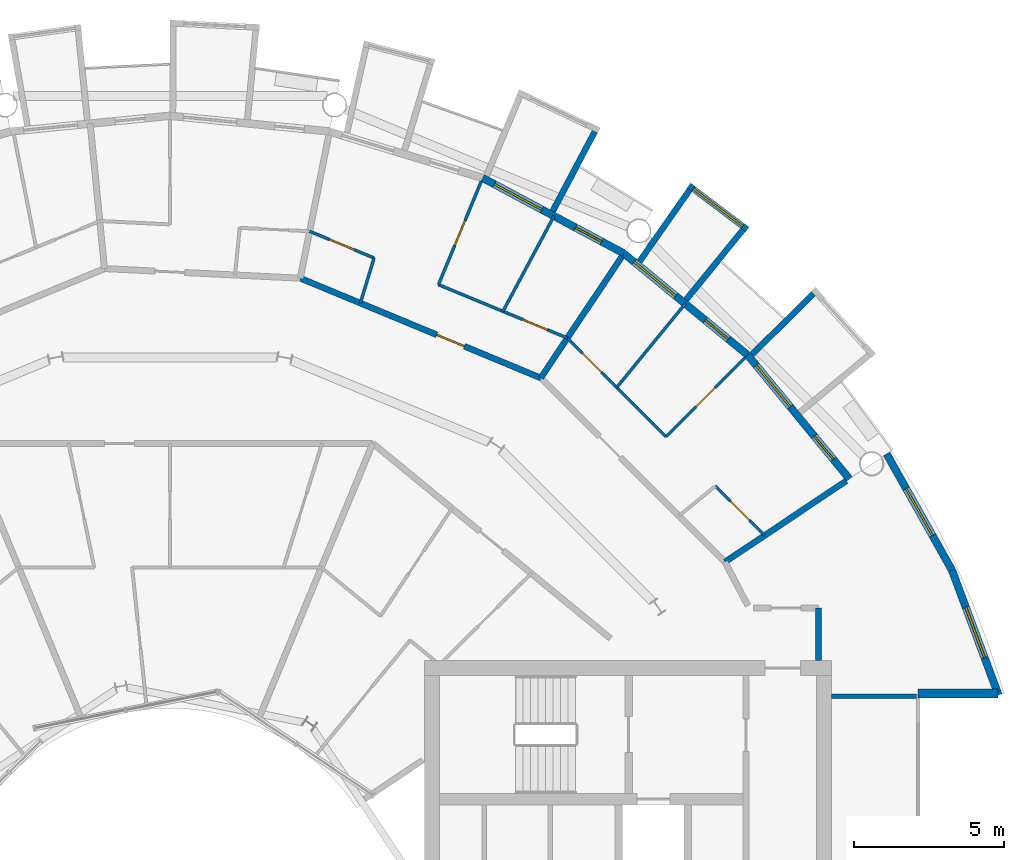
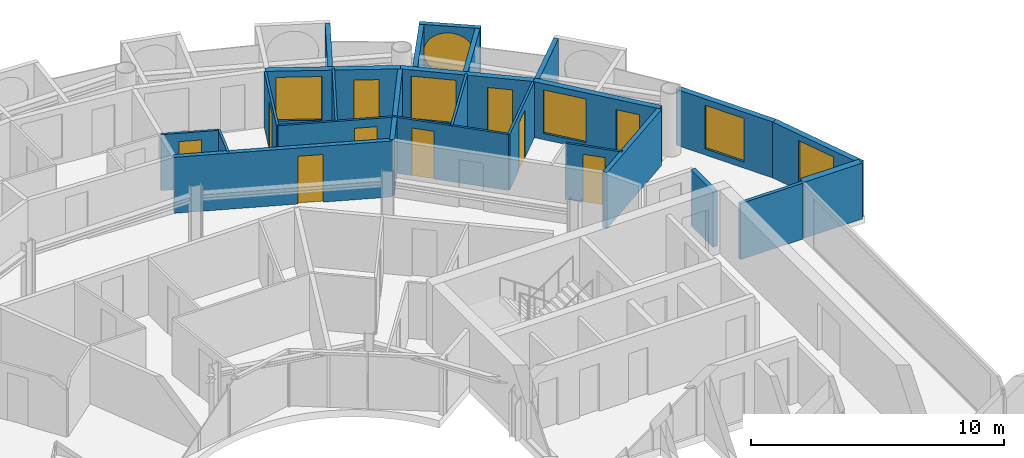
# One storey, part 23 of 28: 25 walls, 10 doors, 6 windows, 16 openings.
"""IFC4 building model written with IfcOpenShell, lengths in metres."""

from ifc_helpers import new_model, si_unit, direction, frame, frame_2d, origin, place, context, subcontext, project, spatial, rectangle, circle, extrude, material, layer, layer_set, type_object, element, fill, save


model = new_model("IFC4")

# Units and contexts
model_context = context("Model", 3, precision=1e-05, world=origin(), true_north=direction((0.0, 1.0)))
body_context = subcontext(model_context, "Body", "Model", "MODEL_VIEW")
ifc_project = project(units=[si_unit("LENGTHUNIT", "METRE"), si_unit("AREAUNIT", "SQUARE_METRE"), si_unit("VOLUMEUNIT", "CUBIC_METRE"), si_unit("PLANEANGLEUNIT", "RADIAN"), si_unit("MASSUNIT", "GRAM", prefix="KILO")], contexts=[model_context])

# Site, building, storey
site_placement = place(None, origin())
site = spatial("IfcSite", under=ifc_project, at=site_placement, CompositionType="ELEMENT")
building_placement = place(site_placement, origin())
building = spatial("IfcBuilding", under=site, at=building_placement, Name="Maasbend Ring Residences", CompositionType="ELEMENT")
storey_placement = place(building_placement, frame((0.0, 0.0, 173.800048828125)))
storey = spatial("IfcBuildingStorey", under=building, at=storey_placement, Name="L50", CompositionType="ELEMENT", Elevation=173.800048828125)

# Wall
ifc_material_1 = material(Name="Concrete C30/37", Category="concrete")
ifc_layer_1 = layer(ifc_material_1, 0.199951171875)
ifc_layer_set_1 = layer_set([ifc_layer_1], Name="Concrete C30/37")
wall_type_1 = type_object("IfcWallType", Name="CORRIDOR WALL 200 CONCRETE", PredefinedType="PARTITIONING", material=ifc_layer_set_1)
wall_1_placement = place(storey_placement, frame((21.675048828125, 9.10009765625, 0.0), z_axis=(0.0, 0.0, 1.0), x_axis=(0.0, 1.0, 0.0)))
element("IfcWall", 1, at=wall_1_placement, inside=storey, type_object=wall_type_1, Name="U-L50-w013", PredefinedType="PARTITIONING", context=body_context, shape_type="SweptSolid", body=[
    extrude(rectangle(XDim=1.75, YDim=0.199951171875, at=frame_2d((0.875, 0.0))), origin(), (0.0, 0.0, 1.0), 2.699951171875),
])

# Wall, opening, door
wall_2_placement = place(storey_placement, frame((4.35107421875, 21.8720703125, 0.0), z_axis=(0.0, 0.0, 1.0), x_axis=(0.923722518166, -0.383062278792, 0.0)))
wall_2 = element("IfcWall", 2, at=wall_2_placement, inside=storey, type_object=wall_type_1, Name="U-L50-w110", PredefinedType="PARTITIONING", context=body_context, shape_type="SweptSolid", body=[
    extrude(rectangle(XDim=8.709228515625, YDim=0.199951171875, at=frame_2d((4.3544921875, 0.0))), origin(), (0.0, 0.0, 1.0), 2.699951171875),
])
opening_1_placement = place(wall_2_placement, frame((4.93798828125, 0.0, 0.0)))
opening_1 = element("IfcOpeningElement", 3, at=opening_1_placement, cuts=wall_2, Name="Opening D-5005", PredefinedType="OPENING", context=body_context, shape_type="SweptSolid", body=[
    extrude(rectangle(XDim=1.0, YDim=2.300048828125, at=frame_2d((0.5, 1.14990234375))), frame((0.0, 0.10986328125, 0.0), z_axis=(0.0, -1.0, 0.0), x_axis=(1.0, 0.0, 0.0)), (0.0, 0.0, 1.0), 0.219970703125),
])
ifc_material_2 = material(Name="Timber, fire-rated, painted", Category="wood")
door_type_1 = type_object("IfcDoorType", Name="FLAT ENTRANCE DOOR 1000 X 2300 FIRE-RATED", OperationType="NOTDEFINED", PredefinedType="DOOR", material=ifc_material_2)
door_1_placement = place(opening_1_placement, origin())
door_1 = element("IfcDoor", 4, at=door_1_placement, inside=storey, type_object=door_type_1, Name="D-5005", OperationType="SINGLE_SWING_RIGHT", OverallHeight=2.300048828125, OverallWidth=1.0, PredefinedType="DOOR", context=body_context, shape_type="SweptSolid", body=[
    extrude(rectangle(XDim=1.0, YDim=2.300048828125, at=frame_2d((0.5, 1.14990234375))), frame((0.0, 0.02490234375, 0.0), z_axis=(0.0, -1.0, 0.0), x_axis=(1.0, 0.0, 0.0)), (0.0, 0.0, 1.0), 0.050048828125),
])
fill(opening_1, door_1)

# Wall
ifc_material_3 = material(Name="Pale anodised aluminium panel", Category="aluminium")
ifc_layer_2 = layer(ifc_material_3, 0.199951171875)
ifc_layer_set_2 = layer_set([ifc_layer_2], Name="EW-BOX")
wall_type_2 = type_object("IfcWallType", Name="EW-BOX", PredefinedType="SOLIDWALL", material=ifc_layer_set_2)
wall_3_placement = place(storey_placement, frame((19.449951171875, 19.322998046875, -0.030029296875), z_axis=(0.0, 0.0, 1.0), x_axis=(0.709727076896, 0.704476739375, 0.0)))
element("IfcWall", 5, at=wall_3_placement, inside=storey, type_object=wall_type_2, Name="Box side wall N02 right", PredefinedType="SOLIDWALL", context=body_context, shape_type="SweptSolid", body=[
    extrude(rectangle(XDim=2.883056640625, YDim=0.199951171875, at=frame_2d((1.44140625, 0.0))), origin(), (0.0, 0.0, 1.0), 2.72998046875),
])

# Wall, opening, window
wall_4_placement = place(storey_placement, frame((19.2890625, 23.4970703125, -0.030029296875), z_axis=(0.0, 0.0, 1.0), x_axis=(-0.797887588059, 0.602806268067, 0.0)))
wall_4 = element("IfcWall", 6, at=wall_4_placement, inside=storey, type_object=wall_type_2, Name="Box front N04", PredefinedType="SOLIDWALL", context=body_context, shape_type="SweptSolid", body=[
    extrude(rectangle(XDim=2.446533203125, YDim=0.199951171875, at=frame_2d((1.22314453125, 0.0))), origin(), (0.0, 0.0, 1.0), 2.72998046875),
])
opening_2_placement = place(wall_4_placement, frame((0.182861328125, 0.0, 0.330078125)))
opening_2 = element("IfcOpeningElement", 7, at=opening_2_placement, cuts=wall_4, Name="Opening W-RD", PredefinedType="OPENING", context=body_context, shape_type="SweptSolid", body=[
    extrude(circle(Radius=1.0400390625, at=frame_2d((1.0400390625, 1.0400390625))), frame((0.0, 0.10986328125, 0.0), z_axis=(0.0, -1.0, 0.0), x_axis=(1.0, 0.0, 0.0)), (0.0, 0.0, 1.0), 0.219970703125),
])
ifc_material_4 = material(Name="Aluminium and clear glass", Category="aluminium")
window_type_1 = type_object("IfcWindowType", Name="W-RD", PartitioningType="SINGLE_PANEL", PredefinedType="WINDOW", material=ifc_material_4)
window_1_placement = place(opening_2_placement, origin())
window_1 = element("IfcWindow", 8, at=window_1_placement, inside=storey, type_object=window_type_1, Name="Round window N04", OverallHeight=2.080078125, OverallWidth=2.080078125, PartitioningType="SINGLE_PANEL", PredefinedType="WINDOW", context=body_context, shape_type="SweptSolid", body=[
    extrude(circle(Radius=1.0400390625, at=frame_2d((1.0400390625, 1.0400390625))), frame((0.0, 0.030029296875, 0.0), z_axis=(0.0, -1.0, 0.0), x_axis=(1.0, 0.0, 0.0)), (0.0, 0.0, 1.0), 0.06005859375),
])
fill(opening_2, window_1)

# Walls
wall_5_placement = place(storey_placement, frame((17.24609375, 21.155029296875, -0.030029296875), z_axis=(0.0, 0.0, 1.0), x_axis=(0.631741648902, 0.775179004516, 0.0)))
element("IfcWall", 9, at=wall_5_placement, inside=storey, type_object=wall_type_2, Name="Box side wall N04 left", PredefinedType="SOLIDWALL", context=body_context, shape_type="SweptSolid", body=[
    extrude(rectangle(XDim=3.005859375, YDim=0.199951171875, at=frame_2d((1.5029296875, 0.0))), origin(), (0.0, 0.0, 1.0), 2.72998046875),
])
wall_6_placement = place(storey_placement, frame((15.68798828125, 22.43310546875, -0.030029296875), z_axis=(0.0, 0.0, 1.0), x_axis=(0.573260687834, 0.819373043115, 0.0)))
element("IfcWall", 10, at=wall_6_placement, inside=storey, type_object=wall_type_2, Name="Box side wall N04 right", PredefinedType="SOLIDWALL", context=body_context, shape_type="SweptSolid", body=[
    extrude(rectangle(XDim=2.92529296875, YDim=0.199951171875, at=frame_2d((1.462646484375, 0.0))), origin(), (0.0, 0.0, 1.0), 2.72998046875),
])
wall_7_placement = place(storey_placement, frame((12.787109375, 24.113037109375, -0.030029296875), z_axis=(0.0, 0.0, 1.0), x_axis=(0.468365282436, 0.883534924159, 0.0)))
element("IfcWall", 11, at=wall_7_placement, inside=storey, type_object=wall_type_2, Name="Box side wall N06 left", PredefinedType="SOLIDWALL", context=body_context, shape_type="SweptSolid", body=[
    extrude(rectangle(XDim=3.006103515625, YDim=0.199951171875, at=frame_2d((1.5029296875, 0.0))), origin(), (0.0, 0.0, 1.0), 2.72998046875),
])

# Wall, openings, door, window
ifc_material_5 = material(Name="Aluminium clad insulated panel", Category="aluminium")
ifc_layer_3 = layer(ifc_material_5, 0.25)
ifc_layer_set_3 = layer_set([ifc_layer_3], Name="EW-GL")
wall_type_3 = type_object("IfcWallType", Name="EW-GL", PredefinedType="SOLIDWALL", material=ifc_layer_set_3)
wall_8_placement = place(storey_placement, frame((22.698974609375, 15.1669921875, 0.0), z_axis=(0.0, 0.0, 1.0), x_axis=(-0.634382322723, 0.773019449054, 0.0)))
wall_8 = element("IfcWall", 12, at=wall_8_placement, inside=storey, type_object=wall_type_3, Name="External wall N01", PredefinedType="SOLIDWALL", context=body_context, shape_type="SweptSolid", body=[
    extrude(rectangle(XDim=5.351806640625, YDim=0.25, at=frame_2d((2.67578125, 0.0))), origin(), (0.0, 0.0, 1.0), 2.699951171875),
])
opening_3_placement = place(wall_8_placement, frame((0.841064453125, 0.0, 0.0)))
opening_3 = element("IfcOpeningElement", 13, at=opening_3_placement, cuts=wall_8, Name="Opening D-LG", PredefinedType="OPENING", context=body_context, shape_type="SweptSolid", body=[
    extrude(rectangle(XDim=1.0, YDim=2.199951171875, at=frame_2d((0.5, 1.10009765625))), frame((0.0, 0.135009765625, 0.0), z_axis=(0.0, -1.0, 0.0), x_axis=(1.0, 0.0, 0.0)), (0.0, 0.0, 1.0), 0.27001953125),
])
opening_4_placement = place(wall_8_placement, frame((3.110595703125, 0.0, 0.300048828125)))
opening_4 = element("IfcOpeningElement", 14, at=opening_4_placement, cuts=wall_8, Name="Opening W-BX", PredefinedType="OPENING", context=body_context, shape_type="SweptSolid", body=[
    extrude(rectangle(XDim=1.800048828125, YDim=2.10009765625, at=frame_2d((0.89990234375, 1.050048828125))), frame((0.0, 0.135009765625, 0.0), z_axis=(0.0, -1.0, 0.0), x_axis=(1.0, 0.0, 0.0)), (0.0, 0.0, 1.0), 0.27001953125),
])
ifc_material_6 = material(Name="Aluminium and clear glass", Category="aluminium")
door_type_2 = type_object("IfcDoorType", Name="D-LG", OperationType="SINGLE_SWING_LEFT", PredefinedType="DOOR", material=ifc_material_6)
door_2_placement = place(opening_3_placement, origin())
door_2 = element("IfcDoor", 15, at=door_2_placement, inside=storey, type_object=door_type_2, Name="Loggia door N01", OperationType="SINGLE_SWING_LEFT", OverallHeight=2.199951171875, OverallWidth=1.0, PredefinedType="DOOR", context=body_context, shape_type="SweptSolid", body=[
    extrude(rectangle(XDim=1.0, YDim=2.199951171875, at=frame_2d((0.5, 1.10009765625))), frame((0.0, 0.02490234375, 0.0), z_axis=(0.0, -1.0, 0.0), x_axis=(1.0, 0.0, 0.0)), (0.0, 0.0, 1.0), 0.050048828125),
])
fill(opening_3, door_2)
ifc_material_7 = material(Name="Aluminium and clear glass", Category="aluminium")
window_type_2 = type_object("IfcWindowType", Name="W-BX", PartitioningType="DOUBLE_PANEL_VERTICAL", PredefinedType="WINDOW", material=ifc_material_7)
window_2_placement = place(opening_4_placement, origin())
window_2 = element("IfcWindow", 16, at=window_2_placement, inside=storey, type_object=window_type_2, Name="Window N02 room to box", OverallHeight=2.10009765625, OverallWidth=1.800048828125, PartitioningType="SINGLE_PANEL", PredefinedType="WINDOW", context=body_context, shape_type="SweptSolid", body=[
    extrude(rectangle(XDim=1.800048828125, YDim=2.10009765625, at=frame_2d((0.89990234375, 1.050048828125))), frame((0.0, 0.030029296875, 0.0), z_axis=(0.0, -1.0, 0.0), x_axis=(1.0, 0.0, 0.0)), (0.0, 0.0, 1.0), 0.06005859375),
])
fill(opening_4, window_2)

wall_9_placement = place(storey_placement, frame((19.303955078125, 19.303955078125, 0.0), z_axis=(0.0, 0.0, 1.0), x_axis=(-0.773019449054, 0.634382322723, 0.0)))
wall_9 = element("IfcWall", 17, at=wall_9_placement, inside=storey, type_object=wall_type_3, Name="External wall N02", PredefinedType="SOLIDWALL", context=body_context, shape_type="SweptSolid", body=[
    extrude(rectangle(XDim=5.351806640625, YDim=0.25, at=frame_2d((2.67578125, 0.0))), origin(), (0.0, 0.0, 1.0), 2.699951171875),
])
opening_5_placement = place(wall_9_placement, frame((0.841064453125, 0.0, 0.0)))
opening_5 = element("IfcOpeningElement", 18, at=opening_5_placement, cuts=wall_9, Name="Opening D-LG", PredefinedType="OPENING", context=body_context, shape_type="SweptSolid", body=[
    extrude(rectangle(XDim=1.0, YDim=2.199951171875, at=frame_2d((0.5, 1.10009765625))), frame((0.0, 0.135009765625, 0.0), z_axis=(0.0, -1.0, 0.0), x_axis=(1.0, 0.0, 0.0)), (0.0, 0.0, 1.0), 0.27001953125),
])
opening_6_placement = place(wall_9_placement, frame((3.110595703125, 0.0, 0.300048828125)))
opening_6 = element("IfcOpeningElement", 19, at=opening_6_placement, cuts=wall_9, Name="Opening W-BX", PredefinedType="OPENING", context=body_context, shape_type="SweptSolid", body=[
    extrude(rectangle(XDim=1.800048828125, YDim=2.10009765625, at=frame_2d((0.89990234375, 1.050048828125))), frame((0.0, 0.135009765625, 0.0), z_axis=(0.0, -1.0, 0.0), x_axis=(1.0, 0.0, 0.0)), (0.0, 0.0, 1.0), 0.27001953125),
])
door_3_placement = place(opening_5_placement, origin())
door_3 = element("IfcDoor", 20, at=door_3_placement, inside=storey, type_object=door_type_2, Name="Loggia door N03", OperationType="SINGLE_SWING_LEFT", OverallHeight=2.199951171875, OverallWidth=1.0, PredefinedType="DOOR", context=body_context, shape_type="SweptSolid", body=[
    extrude(rectangle(XDim=1.0, YDim=2.199951171875, at=frame_2d((0.5, 1.10009765625))), frame((0.0, 0.02490234375, 0.0), z_axis=(0.0, -1.0, 0.0), x_axis=(1.0, 0.0, 0.0)), (0.0, 0.0, 1.0), 0.050048828125),
])
fill(opening_5, door_3)
window_3_placement = place(opening_6_placement, origin())
window_3 = element("IfcWindow", 21, at=window_3_placement, inside=storey, type_object=window_type_2, Name="Window N04 room to box", OverallHeight=2.10009765625, OverallWidth=1.800048828125, PartitioningType="SINGLE_PANEL", PredefinedType="WINDOW", context=body_context, shape_type="SweptSolid", body=[
    extrude(rectangle(XDim=1.800048828125, YDim=2.10009765625, at=frame_2d((0.89990234375, 1.050048828125))), frame((0.0, 0.030029296875, 0.0), z_axis=(0.0, -1.0, 0.0), x_axis=(1.0, 0.0, 0.0)), (0.0, 0.0, 1.0), 0.06005859375),
])
fill(opening_6, window_3)

wall_10_placement = place(storey_placement, frame((15.1669921875, 22.698974609375, 0.0), z_axis=(0.0, 0.0, 1.0), x_axis=(-0.881915646801, 0.471407246368, 0.0)))
wall_10 = element("IfcWall", 22, at=wall_10_placement, inside=storey, type_object=wall_type_3, Name="External wall N03", PredefinedType="SOLIDWALL", context=body_context, shape_type="SweptSolid", body=[
    extrude(rectangle(XDim=5.35205078125, YDim=0.25, at=frame_2d((2.676025390625, 0.0))), origin(), (0.0, 0.0, 1.0), 2.699951171875),
])
opening_7_placement = place(wall_10_placement, frame((0.841064453125, 0.0, 0.0)))
opening_7 = element("IfcOpeningElement", 23, at=opening_7_placement, cuts=wall_10, Name="Opening D-LG", PredefinedType="OPENING", context=body_context, shape_type="SweptSolid", body=[
    extrude(rectangle(XDim=1.0, YDim=2.199951171875, at=frame_2d((0.5, 1.10009765625))), frame((0.0, 0.135009765625, 0.0), z_axis=(0.0, -1.0, 0.0), x_axis=(1.0, 0.0, 0.0)), (0.0, 0.0, 1.0), 0.27001953125),
])
opening_8_placement = place(wall_10_placement, frame((3.110595703125, 0.0, 0.300048828125)))
opening_8 = element("IfcOpeningElement", 24, at=opening_8_placement, cuts=wall_10, Name="Opening W-BX", PredefinedType="OPENING", context=body_context, shape_type="SweptSolid", body=[
    extrude(rectangle(XDim=1.800048828125, YDim=2.10009765625, at=frame_2d((0.89990234375, 1.050048828125))), frame((0.0, 0.135009765625, 0.0), z_axis=(0.0, -1.0, 0.0), x_axis=(1.0, 0.0, 0.0)), (0.0, 0.0, 1.0), 0.27001953125),
])
door_4_placement = place(opening_7_placement, origin())
door_4 = element("IfcDoor", 25, at=door_4_placement, inside=storey, type_object=door_type_2, Name="Loggia door N05", OperationType="SINGLE_SWING_LEFT", OverallHeight=2.199951171875, OverallWidth=1.0, PredefinedType="DOOR", context=body_context, shape_type="SweptSolid", body=[
    extrude(rectangle(XDim=1.0, YDim=2.199951171875, at=frame_2d((0.5, 1.10009765625))), frame((0.0, 0.02490234375, 0.0), z_axis=(0.0, -1.0, 0.0), x_axis=(1.0, 0.0, 0.0)), (0.0, 0.0, 1.0), 0.050048828125),
])
fill(opening_7, door_4)
window_4_placement = place(opening_8_placement, origin())
window_4 = element("IfcWindow", 26, at=window_4_placement, inside=storey, type_object=window_type_2, Name="Window N06 room to box", OverallHeight=2.10009765625, OverallWidth=1.800048828125, PartitioningType="SINGLE_PANEL", PredefinedType="WINDOW", context=body_context, shape_type="SweptSolid", body=[
    extrude(rectangle(XDim=1.800048828125, YDim=2.10009765625, at=frame_2d((0.89990234375, 1.050048828125))), frame((0.0, 0.030029296875, 0.0), z_axis=(0.0, -1.0, 0.0), x_axis=(1.0, 0.0, 0.0)), (0.0, 0.0, 1.0), 0.06005859375),
])
fill(opening_8, window_4)

# Wall, opening, window
ifc_material_8 = material(Name="Aluminium clad insulated panel", Category="aluminium")
ifc_layer_4 = layer(ifc_material_8, 0.25)
ifc_layer_set_4 = layer_set([ifc_layer_4], Name="EW-HORN")
wall_type_4 = type_object("IfcWallType", Name="EW-HORN", PredefinedType="SOLIDWALL", material=ifc_layer_set_4)
wall_11_placement = place(storey_placement, frame((27.681884765625, 7.945068359375, 0.0), z_axis=(0.0, 0.0, 1.0), x_axis=(-0.349247811493, 0.937030397675, 0.0)))
wall_11 = element("IfcWall", 27, at=wall_11_placement, inside=storey, type_object=wall_type_4, Name="Horn wall 1.1", PredefinedType="SOLIDWALL", context=body_context, shape_type="SweptSolid", body=[
    extrude(rectangle(XDim=4.4521484375, YDim=0.25, at=frame_2d((2.22607421875, 0.0))), origin(), (0.0, 0.0, 1.0), 2.699951171875),
])
opening_9_placement = place(wall_11_placement, frame((1.32666015625, 0.0, 0.300048828125)))
opening_9 = element("IfcOpeningElement", 28, at=opening_9_placement, cuts=wall_11, Name="Opening W-BX", PredefinedType="OPENING", context=body_context, shape_type="SweptSolid", body=[
    extrude(rectangle(XDim=1.800048828125, YDim=2.10009765625, at=frame_2d((0.89990234375, 1.050048828125))), frame((0.0, 0.135009765625, 0.0), z_axis=(0.0, -1.0, 0.0), x_axis=(1.0, 0.0, 0.0)), (0.0, 0.0, 1.0), 0.27001953125),
])
window_5_placement = place(opening_9_placement, origin())
window_5 = element("IfcWindow", 29, at=window_5_placement, inside=storey, type_object=window_type_2, Name="Horn window 1.1", OverallHeight=2.10009765625, OverallWidth=1.800048828125, PartitioningType="SINGLE_PANEL", PredefinedType="WINDOW", context=body_context, shape_type="SweptSolid", body=[
    extrude(rectangle(XDim=1.800048828125, YDim=2.10009765625, at=frame_2d((0.89990234375, 1.050048828125))), frame((0.0, 0.030029296875, 0.0), z_axis=(0.0, -1.0, 0.0), x_axis=(1.0, 0.0, 0.0)), (0.0, 0.0, 1.0), 0.06005859375),
])
fill(opening_9, window_5)

wall_12_placement = place(storey_placement, frame((26.126953125, 12.116943359375, 0.0), z_axis=(0.0, 0.0, 1.0), x_axis=(-0.489696356642, 0.871893042919, 0.0)))
wall_12 = element("IfcWall", 30, at=wall_12_placement, inside=storey, type_object=wall_type_4, Name="Horn wall 1.2", PredefinedType="SOLIDWALL", context=body_context, shape_type="SweptSolid", body=[
    extrude(rectangle(XDim=4.45361328125, YDim=0.25, at=frame_2d((2.226806640625, 0.0))), origin(), (0.0, 0.0, 1.0), 2.699951171875),
])
opening_10_placement = place(wall_12_placement, frame((1.32666015625, 0.0, 0.300048828125)))
opening_10 = element("IfcOpeningElement", 31, at=opening_10_placement, cuts=wall_12, Name="Opening W-BX", PredefinedType="OPENING", context=body_context, shape_type="SweptSolid", body=[
    extrude(rectangle(XDim=1.800048828125, YDim=2.10009765625, at=frame_2d((0.89990234375, 1.050048828125))), frame((0.0, 0.135009765625, 0.0), z_axis=(0.0, -1.0, 0.0), x_axis=(1.0, 0.0, 0.0)), (0.0, 0.0, 1.0), 0.27001953125),
])
window_6_placement = place(opening_10_placement, origin())
window_6 = element("IfcWindow", 32, at=window_6_placement, inside=storey, type_object=window_type_2, Name="Horn window 1.2", OverallHeight=2.10009765625, OverallWidth=1.800048828125, PartitioningType="SINGLE_PANEL", PredefinedType="WINDOW", context=body_context, shape_type="SweptSolid", body=[
    extrude(rectangle(XDim=1.800048828125, YDim=2.10009765625, at=frame_2d((0.89990234375, 1.050048828125))), frame((0.0, 0.030029296875, 0.0), z_axis=(0.0, -1.0, 0.0), x_axis=(1.0, 0.0, 0.0)), (0.0, 0.0, 1.0), 0.06005859375),
])
fill(opening_10, window_6)

# Wall
ifc_material_9 = material(Name="Aluminium clad insulated panel", Category="aluminium")
ifc_layer_5 = layer(ifc_material_9, 0.300048828125)
ifc_layer_set_5 = layer_set([ifc_layer_5], Name="EW-RET")
wall_type_5 = type_object("IfcWallType", Name="EW-RET", PredefinedType="SOLIDWALL", material=ifc_layer_set_5)
wall_13_placement = place(storey_placement, frame((25.0, 8.0, 0.0), z_axis=(0.0, 0.0, 1.0), x_axis=(1.0, 0.0, 0.0)))
element("IfcWall", 33, at=wall_13_placement, inside=storey, type_object=wall_type_5, Name="Notch return wall east north", PredefinedType="SOLIDWALL", context=body_context, shape_type="SweptSolid", body=[
    extrude(rectangle(XDim=2.6669921875, YDim=0.300048828125, at=frame_2d((1.33349609375, 0.0))), origin(), (0.0, 0.0, 1.0), 2.699951171875),
])

# Wall, opening, door
ifc_material_10 = material(Name="Gypsum board on steel studs", Category="steel")
ifc_layer_6 = layer(ifc_material_10, 0.10009765625)
ifc_layer_set_6 = layer_set([ifc_layer_6], Name="PARTITION 100 GYPSUM")
wall_type_6 = type_object("IfcWallType", Name="PARTITION 100 GYPSUM", PredefinedType="PARTITIONING", material=ifc_layer_set_6)
wall_14_placement = place(storey_placement, frame((8.969970703125, 21.656005859375, 0.0), z_axis=(0.0, 0.0, 1.0), x_axis=(0.382669377748, 0.923885353999, 0.0)))
wall_14 = element("IfcWall", 34, at=wall_14_placement, inside=storey, type_object=wall_type_6, Name="U-L50-w079", PredefinedType="PARTITIONING", context=body_context, shape_type="SweptSolid", body=[
    extrude(rectangle(XDim=3.734130859375, YDim=0.10009765625, at=frame_2d((1.8671875, 0.0))), origin(), (0.0, 0.0, 1.0), 2.699951171875),
])
opening_11_placement = place(wall_14_placement, frame((1.4169921875, 0.0, 0.0)))
opening_11 = element("IfcOpeningElement", 35, at=opening_11_placement, cuts=wall_14, Name="Opening D-5007", PredefinedType="OPENING", context=body_context, shape_type="SweptSolid", body=[
    extrude(rectangle(XDim=0.89990234375, YDim=2.300048828125, at=frame_2d((0.449951171875, 1.14990234375))), frame((0.0, 0.06005859375, 0.0), z_axis=(0.0, -1.0, 0.0), x_axis=(1.0, 0.0, 0.0)), (0.0, 0.0, 1.0), 0.1201171875),
])
ifc_material_11 = material(Name="Timber, painted", Category="wood")
door_type_3 = type_object("IfcDoorType", Name="INTERNAL DOOR 900 X 2300", OperationType="NOTDEFINED", PredefinedType="DOOR", material=ifc_material_11)
door_5_placement = place(opening_11_placement, origin())
door_5 = element("IfcDoor", 36, at=door_5_placement, inside=storey, type_object=door_type_3, Name="D-5007", OperationType="SINGLE_SWING_RIGHT", OverallHeight=2.300048828125, OverallWidth=0.89990234375, PredefinedType="DOOR", context=body_context, shape_type="SweptSolid", body=[
    extrude(rectangle(XDim=0.89990234375, YDim=2.300048828125, at=frame_2d((0.449951171875, 1.14990234375))), frame((0.0, 0.02490234375, 0.0), z_axis=(0.0, -1.0, 0.0), x_axis=(1.0, 0.0, 0.0)), (0.0, 0.0, 1.0), 0.050048828125),
])
fill(opening_11, door_5)

# Walls
wall_15_placement = place(storey_placement, frame((11.1240234375, 20.763916015625, 0.0), z_axis=(0.0, 0.0, 1.0), x_axis=(0.472212052488, 0.881484984265, 0.0)))
element("IfcWall", 37, at=wall_15_placement, inside=storey, type_object=wall_type_6, Name="U-L50-w082", PredefinedType="PARTITIONING", context=body_context, shape_type="SweptSolid", body=[
    extrude(rectangle(XDim=3.619140625, YDim=0.10009765625, at=frame_2d((1.8095703125, 0.0))), origin(), (0.0, 0.0, 1.0), 2.699951171875),
])
wall_16_placement = place(storey_placement, frame((14.927001953125, 18.22412109375, 0.0), z_axis=(0.0, 0.0, 1.0), x_axis=(0.633737383709, 0.773548271597, 0.0)))
element("IfcWall", 38, at=wall_16_placement, inside=storey, type_object=wall_type_6, Name="U-L50-w085", PredefinedType="PARTITIONING", context=body_context, shape_type="SweptSolid", body=[
    extrude(rectangle(XDim=3.6181640625, YDim=0.10009765625, at=frame_2d((1.80908203125, 0.0))), origin(), (0.0, 0.0, 1.0), 2.699951171875),
])

# Wall, opening, door
wall_17_placement = place(storey_placement, frame((16.574951171875, 16.574951171875, 0.0), z_axis=(0.0, 0.0, 1.0), x_axis=(0.707106781187, 0.707106781187, 0.0)))
wall_17 = element("IfcWall", 39, at=wall_17_placement, inside=storey, type_object=wall_type_6, Name="U-L50-w087", PredefinedType="PARTITIONING", context=body_context, shape_type="SweptSolid", body=[
    extrude(rectangle(XDim=3.735107421875, YDim=0.10009765625, at=frame_2d((1.86767578125, 0.0))), origin(), (0.0, 0.0, 1.0), 2.699951171875),
])
opening_12_placement = place(wall_17_placement, frame((1.4169921875, 0.0, 0.0)))
opening_12 = element("IfcOpeningElement", 40, at=opening_12_placement, cuts=wall_17, Name="Opening D-5003", PredefinedType="OPENING", context=body_context, shape_type="SweptSolid", body=[
    extrude(rectangle(XDim=0.89990234375, YDim=2.300048828125, at=frame_2d((0.449951171875, 1.14990234375))), frame((0.0, 0.06005859375, 0.0), z_axis=(0.0, -1.0, 0.0), x_axis=(1.0, 0.0, 0.0)), (0.0, 0.0, 1.0), 0.1201171875),
])
door_6_placement = place(opening_12_placement, origin())
door_6 = element("IfcDoor", 41, at=door_6_placement, inside=storey, type_object=door_type_3, Name="D-5003", OperationType="SINGLE_SWING_RIGHT", OverallHeight=2.300048828125, OverallWidth=0.89990234375, PredefinedType="DOOR", context=body_context, shape_type="SweptSolid", body=[
    extrude(rectangle(XDim=0.89990234375, YDim=2.300048828125, at=frame_2d((0.449951171875, 1.14990234375))), frame((0.0, 0.02490234375, 0.0), z_axis=(0.0, -1.0, 0.0), x_axis=(1.0, 0.0, 0.0)), (0.0, 0.0, 1.0), 0.050048828125),
])
fill(opening_12, door_6)

# Wall
wall_18_placement = place(storey_placement, frame((6.360107421875, 21.0390625, 0.0), z_axis=(0.0, 0.0, 1.0), x_axis=(0.289547780579, 0.957163561134, 0.0)))
element("IfcWall", 42, at=wall_18_placement, inside=storey, type_object=wall_type_6, Name="U-L50-w092", PredefinedType="PARTITIONING", context=body_context, shape_type="SweptSolid", body=[
    extrude(rectangle(XDim=1.57763671875, YDim=0.10009765625, at=frame_2d((0.788818359375, 0.0))), origin(), (0.0, 0.0, 1.0), 2.699951171875),
])

# Wall, opening, door
wall_19_placement = place(storey_placement, frame((4.6630859375, 23.43994140625, 0.0), z_axis=(0.0, 0.0, 1.0), x_axis=(0.923923664861, -0.382576870068, 0.0)))
wall_19 = element("IfcWall", 43, at=wall_19_placement, inside=storey, type_object=wall_type_6, Name="U-L50-w118", PredefinedType="PARTITIONING", context=body_context, shape_type="SweptSolid", body=[
    extrude(rectangle(XDim=2.3310546875, YDim=0.10009765625, at=frame_2d((1.16552734375, 0.0))), origin(), (0.0, 0.0, 1.0), 2.699951171875),
])
opening_13_placement = place(wall_19_placement, frame((0.715087890625, 0.0, 0.0)))
opening_13 = element("IfcOpeningElement", 44, at=opening_13_placement, cuts=wall_19, Name="Opening D-5006", PredefinedType="OPENING", context=body_context, shape_type="SweptSolid", body=[
    extrude(rectangle(XDim=0.89990234375, YDim=2.300048828125, at=frame_2d((0.449951171875, 1.14990234375))), frame((0.0, 0.06005859375, 0.0), z_axis=(0.0, -1.0, 0.0), x_axis=(1.0, 0.0, 0.0)), (0.0, 0.0, 1.0), 0.1201171875),
])
door_7_placement = place(opening_13_placement, origin())
door_7 = element("IfcDoor", 45, at=door_7_placement, inside=storey, type_object=door_type_3, Name="D-5006", OperationType="SINGLE_SWING_LEFT", OverallHeight=2.300048828125, OverallWidth=0.89990234375, PredefinedType="DOOR", context=body_context, shape_type="SweptSolid", body=[
    extrude(rectangle(XDim=0.89990234375, YDim=2.300048828125, at=frame_2d((0.449951171875, 1.14990234375))), frame((0.0, 0.02490234375, 0.0), z_axis=(0.0, -1.0, 0.0), x_axis=(1.0, 0.0, 0.0)), (0.0, 0.0, 1.0), 0.050048828125),
])
fill(opening_13, door_7)

wall_20_placement = place(storey_placement, frame((8.969970703125, 21.656005859375, 0.0), z_axis=(0.0, 0.0, 1.0), x_axis=(0.923920484476, -0.38258455061, 0.0)))
wall_20 = element("IfcWall", 46, at=wall_20_placement, inside=storey, type_object=wall_type_6, Name="U-L50-w119", PredefinedType="PARTITIONING", context=body_context, shape_type="SweptSolid", body=[
    extrude(rectangle(XDim=4.662841796875, YDim=0.10009765625, at=frame_2d((2.33154296875, 0.0))), origin(), (0.0, 0.0, 1.0), 2.699951171875),
])
opening_14_placement = place(wall_20_placement, frame((3.047119140625, 0.0, 0.0)))
opening_14 = element("IfcOpeningElement", 47, at=opening_14_placement, cuts=wall_20, Name="Opening D-5008", PredefinedType="OPENING", context=body_context, shape_type="SweptSolid", body=[
    extrude(rectangle(XDim=0.89990234375, YDim=2.300048828125, at=frame_2d((0.449951171875, 1.14990234375))), frame((0.0, 0.06005859375, 0.0), z_axis=(0.0, -1.0, 0.0), x_axis=(1.0, 0.0, 0.0)), (0.0, 0.0, 1.0), 0.1201171875),
])
door_8_placement = place(opening_14_placement, origin())
door_8 = element("IfcDoor", 48, at=door_8_placement, inside=storey, type_object=door_type_3, Name="D-5008", OperationType="SINGLE_SWING_RIGHT", OverallHeight=2.300048828125, OverallWidth=0.89990234375, PredefinedType="DOOR", context=body_context, shape_type="SweptSolid", body=[
    extrude(rectangle(XDim=0.89990234375, YDim=2.300048828125, at=frame_2d((0.449951171875, 1.14990234375))), frame((0.0, 0.02490234375, 0.0), z_axis=(0.0, -1.0, 0.0), x_axis=(1.0, 0.0, 0.0)), (0.0, 0.0, 1.0), 0.050048828125),
])
fill(opening_14, door_8)

wall_21_placement = place(storey_placement, frame((13.278076171875, 19.8720703125, 0.0), z_axis=(0.0, 0.0, 1.0), x_axis=(0.707080600289, -0.707132961115, 0.0)))
wall_21 = element("IfcWall", 49, at=wall_21_placement, inside=storey, type_object=wall_type_6, Name="U-L50-w120", PredefinedType="PARTITIONING", context=body_context, shape_type="SweptSolid", body=[
    extrude(rectangle(XDim=4.66259765625, YDim=0.10009765625, at=frame_2d((2.331298828125, 0.0))), origin(), (0.0, 0.0, 1.0), 2.699951171875),
])
opening_15_placement = place(wall_21_placement, frame((0.718994140625, 0.0, 0.0)))
opening_15 = element("IfcOpeningElement", 50, at=opening_15_placement, cuts=wall_21, Name="Opening D-5004", PredefinedType="OPENING", context=body_context, shape_type="SweptSolid", body=[
    extrude(rectangle(XDim=0.89990234375, YDim=2.300048828125, at=frame_2d((0.449951171875, 1.14990234375))), frame((0.0, 0.06005859375, 0.0), z_axis=(0.0, -1.0, 0.0), x_axis=(1.0, 0.0, 0.0)), (0.0, 0.0, 1.0), 0.1201171875),
])
door_9_placement = place(opening_15_placement, origin())
door_9 = element("IfcDoor", 51, at=door_9_placement, inside=storey, type_object=door_type_3, Name="D-5004", OperationType="SINGLE_SWING_LEFT", OverallHeight=2.300048828125, OverallWidth=0.89990234375, PredefinedType="DOOR", context=body_context, shape_type="SweptSolid", body=[
    extrude(rectangle(XDim=0.89990234375, YDim=2.300048828125, at=frame_2d((0.449951171875, 1.14990234375))), frame((0.0, 0.02490234375, 0.0), z_axis=(0.0, -1.0, 0.0), x_axis=(1.0, 0.0, 0.0)), (0.0, 0.0, 1.0), 0.050048828125),
])
fill(opening_15, door_9)

wall_22_placement = place(storey_placement, frame((18.218017578125, 14.931884765625, 0.0), z_axis=(0.0, 0.0, 1.0), x_axis=(0.707106781187, -0.707106781187, 0.0)))
wall_22 = element("IfcWall", 52, at=wall_22_placement, inside=storey, type_object=wall_type_6, Name="U-L50-w121", PredefinedType="PARTITIONING", context=body_context, shape_type="SweptSolid", body=[
    extrude(rectangle(XDim=2.33203125, YDim=0.10009765625, at=frame_2d((1.166015625, 0.0))), origin(), (0.0, 0.0, 1.0), 2.699951171875),
])
opening_16_placement = place(wall_22_placement, frame((0.722900390625, 0.0, 0.0)))
opening_16 = element("IfcOpeningElement", 53, at=opening_16_placement, cuts=wall_22, Name="Opening D-5002", PredefinedType="OPENING", context=body_context, shape_type="SweptSolid", body=[
    extrude(rectangle(XDim=0.89990234375, YDim=2.300048828125, at=frame_2d((0.449951171875, 1.14990234375))), frame((0.0, 0.06005859375, 0.0), z_axis=(0.0, -1.0, 0.0), x_axis=(1.0, 0.0, 0.0)), (0.0, 0.0, 1.0), 0.1201171875),
])
door_10_placement = place(opening_16_placement, origin())
door_10 = element("IfcDoor", 54, at=door_10_placement, inside=storey, type_object=door_type_3, Name="D-5002", OperationType="SINGLE_SWING_RIGHT", OverallHeight=2.300048828125, OverallWidth=0.89990234375, PredefinedType="DOOR", context=body_context, shape_type="SweptSolid", body=[
    extrude(rectangle(XDim=0.89990234375, YDim=2.300048828125, at=frame_2d((0.449951171875, 1.14990234375))), frame((0.0, 0.02490234375, 0.0), z_axis=(0.0, -1.0, 0.0), x_axis=(1.0, 0.0, 0.0)), (0.0, 0.0, 1.0), 0.050048828125),
])
fill(opening_16, door_10)

# Walls
ifc_material_12 = material(Name="Gypsum board on steel studs", Category="steel")
ifc_layer_7 = layer(ifc_material_12, 0.14990234375)
ifc_layer_set_7 = layer_set([ifc_layer_7], Name="PARTITION 150 EI 60")
wall_type_7 = type_object("IfcWallType", Name="PARTITION 150 EI 60", PredefinedType="PARTITIONING", material=ifc_layer_set_7)
wall_23_placement = place(storey_placement, frame((22.10009765625, 7.89990234375, 0.0), z_axis=(0.0, 0.0, 1.0), x_axis=(1.0, 0.0, 0.0)))
element("IfcWall", 55, at=wall_23_placement, inside=storey, type_object=wall_type_7, Name="L50 core E wall CITN", PredefinedType="PARTITIONING", context=body_context, shape_type="SweptSolid", body=[
    extrude(rectangle(XDim=2.83984375, YDim=0.14990234375, at=frame_2d((1.419921875, 0.0))), origin(), (0.0, 0.0, 1.0), 2.699951171875),
])
ifc_material_13 = material(Name="Concrete C30/37", Category="concrete")
ifc_layer_8 = layer(ifc_material_13, 0.199951171875)
ifc_layer_set_8 = layer_set([ifc_layer_8], Name="Concrete C30/37")
wall_type_8 = type_object("IfcWallType", Name="PARTY WALL 200 CONCRETE", PredefinedType="PARTITIONING", material=ifc_layer_set_8)
for number, where, z_axis, x_axis, name in (
    (56, (12.388916015625, 18.5419921875, 0.0), (0.0, 0.0, 1.0), (0.55569370664, 0.831387096605, 0.0), "U-L50-w084"),
    (57, (18.5419921875, 12.388916015625, 0.0), (0.0, 0.0, 1.0), (0.831387096605, 0.55569370664, 0.0), "U-L50-w090"),
):
    element("IfcWall", number, at=place(storey_placement, frame(where, z_axis=z_axis, x_axis=x_axis)), inside=storey, type_object=wall_type_8, Name=name, PredefinedType="PARTITIONING", context=body_context, shape_type="SweptSolid", body=[
        extrude(rectangle(XDim=4.875, YDim=0.199951171875, at=frame_2d((2.4375, 0.0))), origin(), (0.0, 0.0, 1.0), 2.699951171875),
    ])

save(model, "model.ifc")
